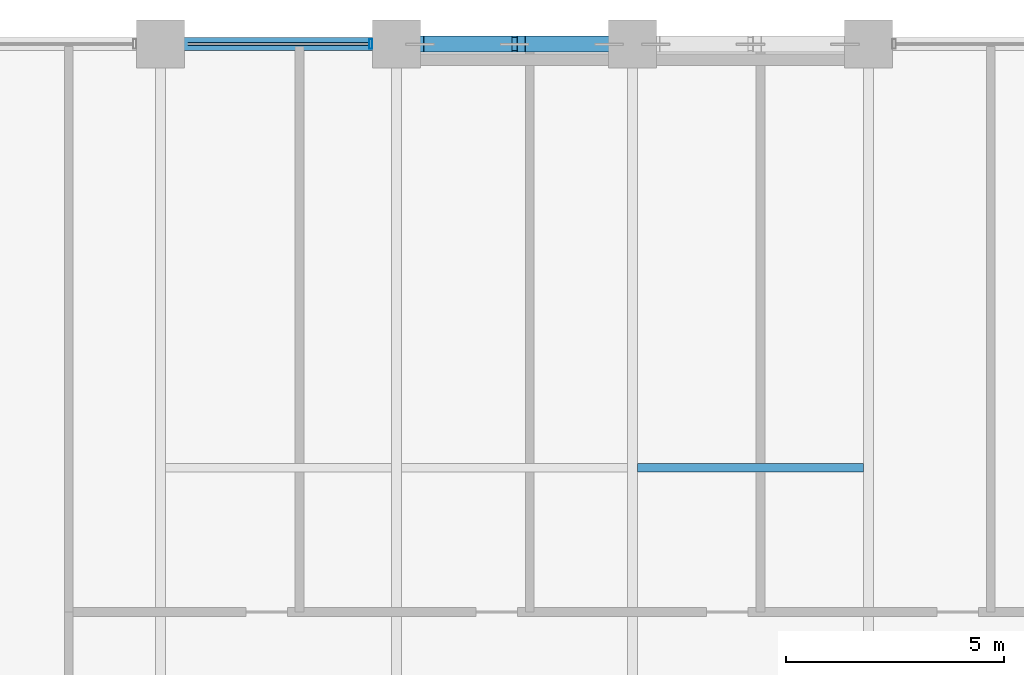
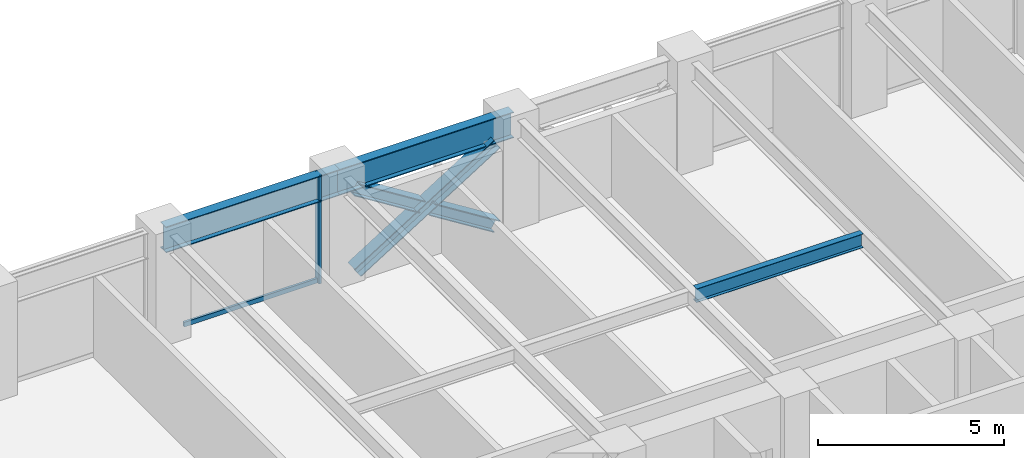
# One storey, part 13 of 25: 5 members, 3 beams, 1 element without a shape of its own.
"""IFC4 building model written with IfcOpenShell, lengths in metres."""

from ifc_helpers import new_model, si_unit, direction, frame, origin, origin_2d, place, context, subcontext, project, spatial, hollow_rectangle, i_section, extrude, material, layer, layer_set, material_profile, profile_set, type_object, element, aggregate, save


model = new_model("IFC4")

# Units and contexts
model_context = context("Model", 3, precision=1e-05, world=origin(), true_north=direction((0.0, 1.0)))
body_context = subcontext(model_context, "Body", "Model", "MODEL_VIEW")
ifc_project = project(units=[si_unit("LENGTHUNIT", "METRE"), si_unit("AREAUNIT", "SQUARE_METRE"), si_unit("VOLUMEUNIT", "CUBIC_METRE"), si_unit("PLANEANGLEUNIT", "RADIAN"), si_unit("MASSUNIT", "GRAM", prefix="KILO")], contexts=[model_context])

# Site, building, storey
site_placement = place(None, origin())
site = spatial("IfcSite", under=ifc_project, at=site_placement, CompositionType="ELEMENT")
building_placement = place(site_placement, origin())
building = spatial("IfcBuilding", under=site, at=building_placement, Name="Surkhivell Harbour Commons", CompositionType="ELEMENT")
storey_placement = place(building_placement, frame((0.0, 0.0, 120.75)))
storey = spatial("IfcBuildingStorey", under=building, at=storey_placement, Name="L31", CompositionType="ELEMENT", Elevation=120.75)

# Beams
ifc_material_1 = material(Name="Steel S355", Category="steel")
ifc_material_profile_1 = material_profile(ifc_material_1, i_section(OverallWidth=0.18994140625, OverallDepth=0.45703125, WebThickness=0.009033203125, FlangeThickness=0.014404296875, at=origin_2d()), Name="UB457x191x74")
ifc_profile_set_1 = profile_set([ifc_material_profile_1], Name="Steel S355")
beam_type_1 = type_object("IfcBeamType", Name="BM-JST-457B", PredefinedType="JOIST", material=ifc_profile_set_1)
beam_1_placement = place(storey_placement, frame((0.113037109375, 16.199951171875, 3.341552734375), z_axis=(1.0, 0.0, 0.0), x_axis=(0.0, 1.0, 0.0)))
element("IfcBeam", 1, at=beam_1_placement, inside=storey, type_object=beam_type_1, Name="L31 North Composite Joist (0.0)", PredefinedType="JOIST", context=body_context, shape_type="SweptSolid", body=[
    extrude(i_section(OverallWidth=0.18994140625, OverallDepth=0.45703125, WebThickness=0.009033203125, FlangeThickness=0.014404296875, at=origin_2d()), origin(), (0.0, 0.0, 1.0), 5.174072265625),
])
ifc_material_2 = material(Name="Steel S460", Category="steel")
ifc_material_profile_2 = material_profile(ifc_material_2, i_section(OverallWidth=0.2939453125, OverallDepth=0.85107421875, WebThickness=0.01611328125, FlangeThickness=0.02685546875, at=origin_2d()), Name="UB838x292x226")
ifc_profile_set_2 = profile_set([ifc_material_profile_2], Name="Steel S460")
beam_type_2 = type_object("IfcBeamType", Name="BM-SPN-838", PredefinedType="SPANDREL", material=ifc_profile_set_2)
beam_2_placement = place(storey_placement, frame((-10.800048828125, 25.89990234375, 3.14453125), z_axis=(1.0, 0.0, 0.0), x_axis=(0.0, 1.0, 0.0)))
element("IfcBeam", 2, at=beam_2_placement, inside=storey, type_object=beam_type_2, Name="L31 Tube Spandrel (-10.8,25.9)", PredefinedType="SPANDREL", context=body_context, shape_type="SweptSolid", body=[
    extrude(i_section(OverallWidth=0.2939453125, OverallDepth=0.85107421875, WebThickness=0.01611328125, FlangeThickness=0.02685546875, at=origin_2d()), origin(), (0.0, 0.0, 1.0), 5.400146484375),
])
beam_3_placement = place(storey_placement, frame((-5.39990234375, 25.89990234375, 3.14453125), z_axis=(1.0, 0.0, 0.0), x_axis=(0.0, 1.0, 0.0)))
element("IfcBeam", 3, at=beam_3_placement, inside=storey, type_object=beam_type_2, Name="L31 Tube Spandrel (-5.4,25.9)", PredefinedType="SPANDREL", context=body_context, shape_type="SweptSolid", body=[
    extrude(i_section(OverallWidth=0.2939453125, OverallDepth=0.85107421875, WebThickness=0.01611328125, FlangeThickness=0.02685546875, at=origin_2d()), origin(), (0.0, 0.0, 1.0), 5.39990234375),
])

# Curtain wall, members
ifc_material_3 = material(Name="Anodised pale-metal aluminium and insulated glazing", Category="aluminium")
ifc_layer = layer(ifc_material_3, 0.205078125)
ifc_layer_set = layer_set([ifc_layer], Name="Anodised pale-metal aluminium and insulated glazing")
curtain_wall_type = type_object("IfcCurtainWallType", Name="CW-SYS-Z2", PredefinedType="NOTDEFINED", material=ifc_layer_set)
curtain_wall_placement = place(storey_placement, origin())
curtain_wall = element("IfcCurtainWall", 4, at=curtain_wall_placement, inside=storey, type_object=curtain_wall_type, Name="L31 Curtain Wall CW-L31-E07S2", PredefinedType="NOTDEFINED")
ifc_material_4 = material(Name="Anodised pale-metal aluminium alloy 6063-T6", Category="aluminium")
ifc_material_profile_3 = material_profile(ifc_material_4, hollow_rectangle(XDim=0.074951171875, YDim=0.219970703125, WallThickness=0.00390625, at=origin_2d()), Name="ALU-MULL-75x220")
ifc_profile_set_3 = profile_set([ifc_material_profile_3], Name="Anodised pale-metal aluminium alloy 6063-T6")
member_type_1 = type_object("IfcMemberType", Name="CWM-220", PredefinedType="MULLION", material=ifc_profile_set_3)
member_1_placement = place(storey_placement, frame((-5.989501953125, 25.89990234375, 0.0), z_axis=(0.0, 0.0, 1.0), x_axis=(-1.0, 0.0, 0.0)))
member_1 = element("IfcMember", 5, at=member_1_placement, type_object=member_type_1, Name="CW-Z2 mullion 1", PredefinedType="MULLION", context=body_context, shape_type="SweptSolid", body=[
    extrude(hollow_rectangle(XDim=0.074951171875, YDim=0.219970703125, WallThickness=0.00390625, at=origin_2d()), origin(), (0.0, 0.0, 1.0), 3.570068359375),
])
ifc_material_profile_4 = material_profile(ifc_material_4, hollow_rectangle(XDim=0.074951171875, YDim=0.14990234375, WallThickness=0.00341796875, at=origin_2d()), Name="ALU-TRAN-75x150")
ifc_profile_set_4 = profile_set([ifc_material_profile_4], Name="Anodised pale-metal aluminium alloy 6063-T6")
member_type_2 = type_object("IfcMemberType", Name="CWT-150", PredefinedType="USERDEFINED", material=ifc_profile_set_4)
member_2_placement = place(storey_placement, frame((-6.027099609375, 25.89990234375, 0.074951171875), z_axis=(-1.0, 0.0, 0.0), x_axis=(0.0, -1.0, 0.0)))
member_2 = element("IfcMember", 6, at=member_2_placement, type_object=member_type_2, Name="CW-Z2 transom 1.1", ObjectType="TRANSOM", PredefinedType="USERDEFINED", context=body_context, shape_type="SweptSolid", body=[
    extrude(hollow_rectangle(XDim=0.074951171875, YDim=0.14990234375, WallThickness=0.00341796875, at=origin_2d()), origin(), (0.0, 0.0, 1.0), 4.14599609375),
])
aggregate(curtain_wall, [member_1, member_2])

# Members
ifc_material_profile_5 = material_profile(ifc_material_2, i_section(OverallWidth=0.375, OverallDepth=0.375, WebThickness=0.0166015625, FlangeThickness=0.027099609375, at=origin_2d()), Name="UC356x368x202")
ifc_profile_set_5 = profile_set([ifc_material_profile_5], Name="Steel S460")
member_type_3 = type_object("IfcMemberType", Name="MEM-BRC-UC356", PredefinedType="BRACE", material=ifc_profile_set_5)
member_3_placement = place(storey_placement, frame((-4.864990234375, 25.89990234375, 0.008056640625), z_axis=(0.847246015888, 0.0, 0.531200704594), x_axis=(0.0, 1.0, 0.0)))
element("IfcMember", 7, at=member_3_placement, inside=storey, type_object=member_type_3, Name="L31 Perimeter Mega-Brace MB- 01", PredefinedType="BRACE", context=body_context, shape_type="SweptSolid", body=[
    extrude(i_section(OverallWidth=0.375, OverallDepth=0.375, WebThickness=0.0166015625, FlangeThickness=0.027099609375, at=origin_2d()), origin(), (0.0, 0.0, 1.0), 5.11083984375),
])
member_4_placement = place(storey_placement, frame((-0.534912109375, 25.89990234375, 0.008056640625), z_axis=(-0.8472353132, 0.0, 0.531217774615), x_axis=(0.0, -1.0, 0.0)))
element("IfcMember", 8, at=member_4_placement, inside=storey, type_object=member_type_3, Name="L31 Perimeter Mega-Brace MB- 02", PredefinedType="BRACE", context=body_context, shape_type="SweptSolid", body=[
    extrude(i_section(OverallWidth=0.375, OverallDepth=0.375, WebThickness=0.0166015625, FlangeThickness=0.027099609375, at=origin_2d()), origin(), (0.0, 0.0, 1.0), 2.37548828125),
])
member_5_placement = place(storey_placement, frame((-2.8525390625, 25.89990234375, 1.461181640625), z_axis=(-0.84725256761, 0.0, 0.53119025469), x_axis=(0.0, -1.0, 0.0)))
element("IfcMember", 9, at=member_5_placement, inside=storey, type_object=member_type_3, Name="L31 Perimeter Mega-Brace MB- 03", PredefinedType="BRACE", context=body_context, shape_type="SweptSolid", body=[
    extrude(i_section(OverallWidth=0.375, OverallDepth=0.375, WebThickness=0.0166015625, FlangeThickness=0.027099609375, at=origin_2d()), origin(), (0.0, 0.0, 1.0), 2.375244140625),
])

save(model, "model.ifc")
